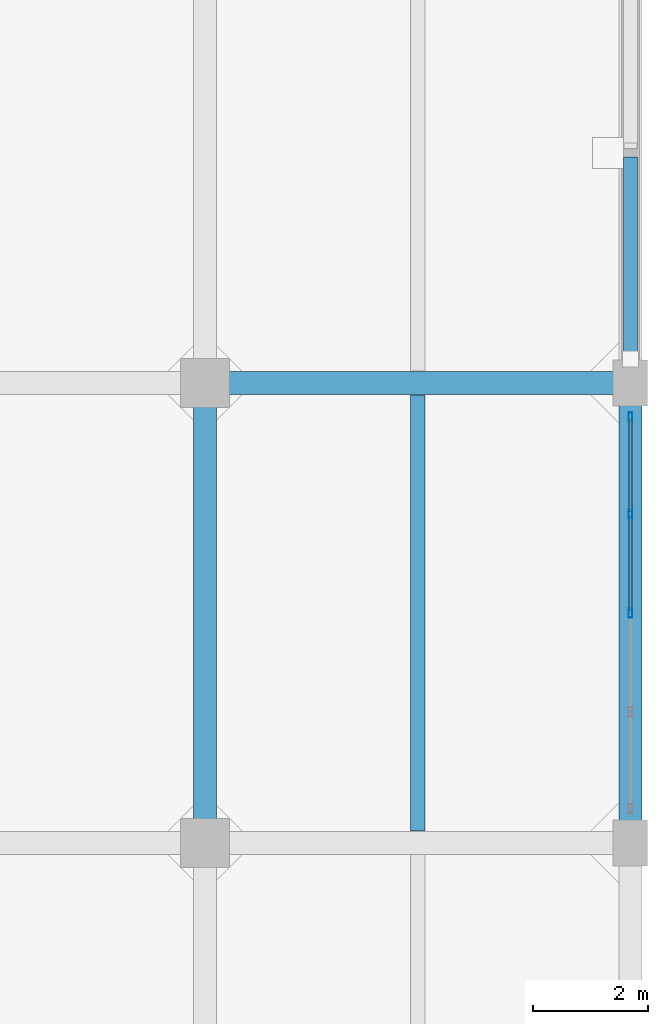
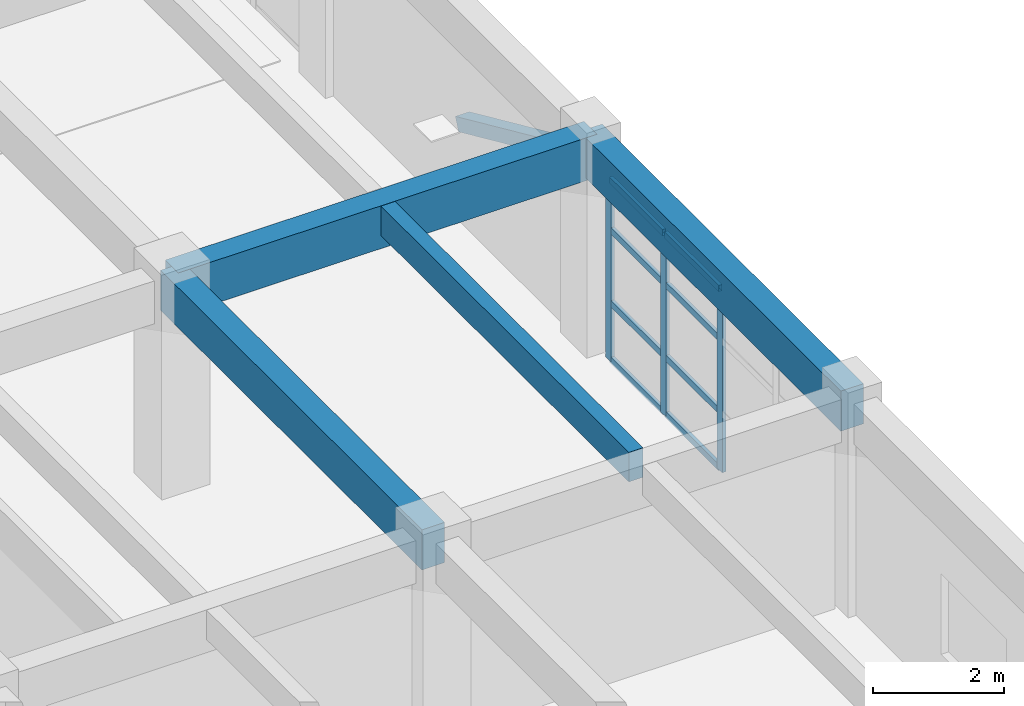
# One storey, part 11 of 30: 12 members, 4 beams, 1 element without a shape of its own.
"""IFC4 building model written with IfcOpenShell, lengths in metres."""

from ifc_helpers import new_model, si_unit, direction, frame, origin, origin_2d, place, context, subcontext, project, spatial, rectangle, hollow_rectangle, extrude, material, layer, layer_set, material_profile, profile_set, type_object, element, aggregate, save


model = new_model("IFC4")

# Units and contexts
model_context = context("Model", 3, precision=1e-05, world=origin(), true_north=direction((0.0, 1.0)))
body_context = subcontext(model_context, "Body", "Model", "MODEL_VIEW")
ifc_project = project(units=[si_unit("LENGTHUNIT", "METRE"), si_unit("AREAUNIT", "SQUARE_METRE"), si_unit("VOLUMEUNIT", "CUBIC_METRE"), si_unit("PLANEANGLEUNIT", "RADIAN"), si_unit("MASSUNIT", "GRAM", prefix="KILO")], contexts=[model_context])

# Site, building, storey
site_placement = place(None, origin())
site = spatial("IfcSite", under=ifc_project, at=site_placement, CompositionType="ELEMENT")
building_placement = place(site_placement, origin())
building = spatial("IfcBuilding", under=site, at=building_placement, Name="Canggui Botanical Conservatory", CompositionType="ELEMENT")
storey_placement = place(building_placement, frame((0.0, 0.0, 19.199951171875)))
storey = spatial("IfcBuildingStorey", under=building, at=storey_placement, Name="L05", CompositionType="ELEMENT", Elevation=19.199951171875)

# Beams
ifc_material_1 = material(Name="Concrete C35", Category="concrete")
ifc_material_profile_1 = material_profile(ifc_material_1, rectangle(XDim=0.25, YDim=0.550048828125, at=origin_2d()), Name="RB 250x550")
ifc_profile_set_1 = profile_set([ifc_material_profile_1], Name="Concrete C35")
beam_type_1 = type_object("IfcBeamType", Name="BM-JST03", PredefinedType="JOIST", material=ifc_profile_set_1)
beam_1_placement = place(storey_placement, frame((173.699951171875, 34.205078125, 3.68505859375), z_axis=(0.0, 1.0, 0.0), x_axis=(-1.0, 0.0, 0.0)))
element("IfcBeam", 1, at=beam_1_placement, inside=storey, type_object=beam_type_1, Name="Secondary Floor Joist L05-5-2", PredefinedType="JOIST", context=body_context, shape_type="SweptSolid", body=[
    extrude(rectangle(XDim=0.25, YDim=0.550048828125, at=origin_2d()), origin(), (0.0, 0.0, 1.0), 7.58984375),
])
ifc_material_profile_2 = material_profile(ifc_material_1, rectangle(XDim=0.39990234375, YDim=0.800048828125, at=origin_2d()), Name="RB 400x800")
ifc_profile_set_2 = profile_set([ifc_material_profile_2], Name="Concrete C35")
beam_type_2 = type_object("IfcBeamType", Name="BM-KL09", PredefinedType="BEAM", material=ifc_profile_set_2)
beam_2_placement = place(storey_placement, frame((170.0, 42.0, 3.56005859375), z_axis=(1.0, 0.0, 0.0), x_axis=(0.0, 1.0, 0.0)))
element("IfcBeam", 2, at=beam_2_placement, inside=storey, type_object=beam_type_2, Name="Frame Girder L05 Y42-5", PredefinedType="BEAM", context=body_context, shape_type="SweptSolid", body=[
    extrude(rectangle(XDim=0.39990234375, YDim=0.800048828125, at=origin_2d()), origin(), (0.0, 0.0, 1.0), 7.39990234375),
])
ifc_material_profile_3 = material_profile(ifc_material_1, rectangle(XDim=0.39990234375, YDim=0.75, at=origin_2d()), Name="RB 400x750")
ifc_profile_set_3 = profile_set([ifc_material_profile_3], Name="Concrete C35")
beam_type_3 = type_object("IfcBeamType", Name="BM-KL10", PredefinedType="BEAM", material=ifc_profile_set_3)
for number, where, z_axis, x_axis, name in (
    (3, (170.0, 34.0, 3.5849609375), (0.0, 1.0, 0.0), (-1.0, 0.0, 0.0), "Frame Girder L05 X170-2"),
    (4, (177.39990234375, 34.0, 3.5849609375), (0.0, 1.0, 0.0), (-1.0, 0.0, 0.0), "Frame Girder L05 X178-2"),
):
    element("IfcBeam", number, at=place(storey_placement, frame(where, z_axis=z_axis, x_axis=x_axis)), inside=storey, type_object=beam_type_3, Name=name, PredefinedType="BEAM", context=body_context, shape_type="SweptSolid", body=[
        extrude(rectangle(XDim=0.39990234375, YDim=0.75, at=origin_2d()), origin(), (0.0, 0.0, 1.0), 8.0),
    ])

# Curtain wall, members
ifc_material_2 = material(Name="Thermally Broken Aluminium", Category="aluminium")
ifc_layer = layer(ifc_material_2, 0.1650390625, Name="Thermally Broken Aluminium", Category="aluminium")
ifc_layer_set = layer_set([ifc_layer], Name="Thermally Broken Aluminium")
curtain_wall_type = type_object("IfcCurtainWallType", Name="CW-UNIT-B", PredefinedType="USERDEFINED", material=ifc_layer_set)
curtain_wall_placement = place(storey_placement, origin())
curtain_wall = element("IfcCurtainWall", 5, at=curtain_wall_placement, inside=storey, type_object=curtain_wall_type, Name="Facade Curtain Wall CW-TWR-L05-21", ObjectType="UNITISED CURTAIN WALL", PredefinedType="USERDEFINED")
ifc_material_profile_4 = material_profile(ifc_material_2, hollow_rectangle(XDim=0.06494140625, YDim=0.1650390625, WallThickness=0.00390625, at=origin_2d()), Name="CWM 65x165x4")
ifc_profile_set_4 = profile_set([ifc_material_profile_4], Name="Thermally Broken Aluminium")
member_type_1 = type_object("IfcMemberType", Name="CWM-02", PredefinedType="MULLION", material=ifc_profile_set_4)
member_1_placement = place(storey_placement, frame((177.39990234375, 41.407470703125, 0.0), z_axis=(0.0, 0.0, 1.0), x_axis=(1.0, 0.0, 0.0)))
member_1 = element("IfcMember", 6, at=member_1_placement, type_object=member_type_1, Name="CW-02 mullion 1", PredefinedType="MULLION", context=body_context, shape_type="SweptSolid", body=[
    extrude(hollow_rectangle(XDim=0.06494140625, YDim=0.1650390625, WallThickness=0.00390625, at=origin_2d()), origin(), (0.0, 0.0, 1.0), 3.400146484375),
])
member_2_placement = place(storey_placement, frame((177.39990234375, 39.719970703125, 0.0), z_axis=(0.0, 0.0, 1.0), x_axis=(1.0, 0.0, 0.0)))
member_2 = element("IfcMember", 7, at=member_2_placement, type_object=member_type_1, Name="CW-02 mullion 2", PredefinedType="MULLION", context=body_context, shape_type="SweptSolid", body=[
    extrude(hollow_rectangle(XDim=0.06494140625, YDim=0.1650390625, WallThickness=0.00390625, at=origin_2d()), origin(), (0.0, 0.0, 1.0), 3.400146484375),
])
member_3_placement = place(storey_placement, frame((177.39990234375, 38.0, 0.0), z_axis=(0.0, 0.0, 1.0), x_axis=(1.0, 0.0, 0.0)))
member_3 = element("IfcMember", 8, at=member_3_placement, type_object=member_type_1, Name="CW-02 mullion 3", PredefinedType="MULLION", context=body_context, shape_type="SweptSolid", body=[
    extrude(hollow_rectangle(XDim=0.06494140625, YDim=0.1650390625, WallThickness=0.00390625, at=origin_2d()), origin(), (0.0, 0.0, 1.0), 3.400146484375),
])
ifc_material_profile_5 = material_profile(ifc_material_2, hollow_rectangle(XDim=0.06005859375, YDim=0.1201171875, WallThickness=0.00341796875, at=origin_2d()), Name="CWT 60x120x3.5")
ifc_profile_set_5 = profile_set([ifc_material_profile_5], Name="Thermally Broken Aluminium")
member_type_2 = type_object("IfcMemberType", Name="CWT-02", PredefinedType="USERDEFINED", material=ifc_profile_set_5)
member_4_placement = place(storey_placement, frame((177.39990234375, 41.375, 0.030029296875), z_axis=(0.0, -1.0, 0.0), x_axis=(1.0, 0.0, 0.0)))
member_4 = element("IfcMember", 9, at=member_4_placement, type_object=member_type_2, Name="CW-02 transom 1.1", ObjectType="TRANSOM", PredefinedType="USERDEFINED", context=body_context, shape_type="SweptSolid", body=[
    extrude(hollow_rectangle(XDim=0.06005859375, YDim=0.1201171875, WallThickness=0.00341796875, at=origin_2d()), origin(), (0.0, 0.0, 1.0), 1.62255859375),
])
member_5_placement = place(storey_placement, frame((177.39990234375, 41.375, 1.088134765625), z_axis=(0.0, -1.0, 0.0), x_axis=(1.0, 0.0, 0.0)))
member_5 = element("IfcMember", 10, at=member_5_placement, type_object=member_type_2, Name="CW-02 transom 1.2", ObjectType="TRANSOM", PredefinedType="USERDEFINED", context=body_context, shape_type="SweptSolid", body=[
    extrude(hollow_rectangle(XDim=0.06005859375, YDim=0.1201171875, WallThickness=0.00341796875, at=origin_2d()), origin(), (0.0, 0.0, 1.0), 1.62255859375),
])
member_6_placement = place(storey_placement, frame((177.39990234375, 41.375, 2.447998046875), z_axis=(0.0, -1.0, 0.0), x_axis=(1.0, 0.0, 0.0)))
member_6 = element("IfcMember", 11, at=member_6_placement, type_object=member_type_2, Name="CW-02 transom 1.3", ObjectType="TRANSOM", PredefinedType="USERDEFINED", context=body_context, shape_type="SweptSolid", body=[
    extrude(hollow_rectangle(XDim=0.06005859375, YDim=0.1201171875, WallThickness=0.00341796875, at=origin_2d()), origin(), (0.0, 0.0, 1.0), 1.62255859375),
])
member_7_placement = place(storey_placement, frame((177.39990234375, 41.375, 3.3701171875), z_axis=(0.0, -1.0, 0.0), x_axis=(1.0, 0.0, 0.0)))
member_7 = element("IfcMember", 12, at=member_7_placement, type_object=member_type_2, Name="CW-02 transom 1.4", ObjectType="TRANSOM", PredefinedType="USERDEFINED", context=body_context, shape_type="SweptSolid", body=[
    extrude(hollow_rectangle(XDim=0.06005859375, YDim=0.1201171875, WallThickness=0.00341796875, at=origin_2d()), origin(), (0.0, 0.0, 1.0), 1.62255859375),
])
member_8_placement = place(storey_placement, frame((177.39990234375, 39.6875, 0.030029296875), z_axis=(0.0, -1.0, 0.0), x_axis=(1.0, 0.0, 0.0)))
member_8 = element("IfcMember", 13, at=member_8_placement, type_object=member_type_2, Name="CW-02 transom 2.1", ObjectType="TRANSOM", PredefinedType="USERDEFINED", context=body_context, shape_type="SweptSolid", body=[
    extrude(hollow_rectangle(XDim=0.06005859375, YDim=0.1201171875, WallThickness=0.00341796875, at=origin_2d()), origin(), (0.0, 0.0, 1.0), 1.655029296875),
])
member_9_placement = place(storey_placement, frame((177.39990234375, 39.6875, 1.088134765625), z_axis=(0.0, -1.0, 0.0), x_axis=(1.0, 0.0, 0.0)))
member_9 = element("IfcMember", 14, at=member_9_placement, type_object=member_type_2, Name="CW-02 transom 2.2", ObjectType="TRANSOM", PredefinedType="USERDEFINED", context=body_context, shape_type="SweptSolid", body=[
    extrude(hollow_rectangle(XDim=0.06005859375, YDim=0.1201171875, WallThickness=0.00341796875, at=origin_2d()), origin(), (0.0, 0.0, 1.0), 1.655029296875),
])
member_10_placement = place(storey_placement, frame((177.39990234375, 39.6875, 2.447998046875), z_axis=(0.0, -1.0, 0.0), x_axis=(1.0, 0.0, 0.0)))
member_10 = element("IfcMember", 15, at=member_10_placement, type_object=member_type_2, Name="CW-02 transom 2.3", ObjectType="TRANSOM", PredefinedType="USERDEFINED", context=body_context, shape_type="SweptSolid", body=[
    extrude(hollow_rectangle(XDim=0.06005859375, YDim=0.1201171875, WallThickness=0.00341796875, at=origin_2d()), origin(), (0.0, 0.0, 1.0), 1.655029296875),
])
member_11_placement = place(storey_placement, frame((177.39990234375, 39.6875, 3.3701171875), z_axis=(0.0, -1.0, 0.0), x_axis=(1.0, 0.0, 0.0)))
member_11 = element("IfcMember", 16, at=member_11_placement, type_object=member_type_2, Name="CW-02 transom 2.4", ObjectType="TRANSOM", PredefinedType="USERDEFINED", context=body_context, shape_type="SweptSolid", body=[
    extrude(hollow_rectangle(XDim=0.06005859375, YDim=0.1201171875, WallThickness=0.00341796875, at=origin_2d()), origin(), (0.0, 0.0, 1.0), 1.655029296875),
])
aggregate(curtain_wall, [member_1, member_2, member_3, member_4, member_5, member_6, member_7, member_8, member_9, member_10, member_11])

# Member
ifc_material_3 = material(Name="Steel Q355B", Category="steel")
ifc_material_profile_6 = material_profile(ifc_material_3, hollow_rectangle(XDim=0.25, YDim=0.25, WallThickness=0.010009765625, at=origin_2d()), Name="SHS 250x250x10")
ifc_profile_set_6 = profile_set([ifc_material_profile_6], Name="Steel Q355B")
member_type_3 = type_object("IfcMemberType", Name="MEM-ZC01", PredefinedType="BRACE", material=ifc_profile_set_6)
member_12_placement = place(storey_placement, frame((177.39990234375, 45.876953125, 1.720458984375), z_axis=(0.0, -0.911535661996, 0.411221031697), x_axis=(1.0, 0.0, 0.0)))
element("IfcMember", 17, at=member_12_placement, inside=storey, type_object=member_type_3, Name="Seismic Concentric X-Brace Upper Split Diagonal L05-B2", PredefinedType="BRACE", context=body_context, shape_type="SweptSolid", body=[
    extrude(hollow_rectangle(XDim=0.25, YDim=0.25, WallThickness=0.010009765625, at=origin_2d()), origin(), (0.0, 0.0, 1.0), 3.79248046875),
])

save(model, "model.ifc")
